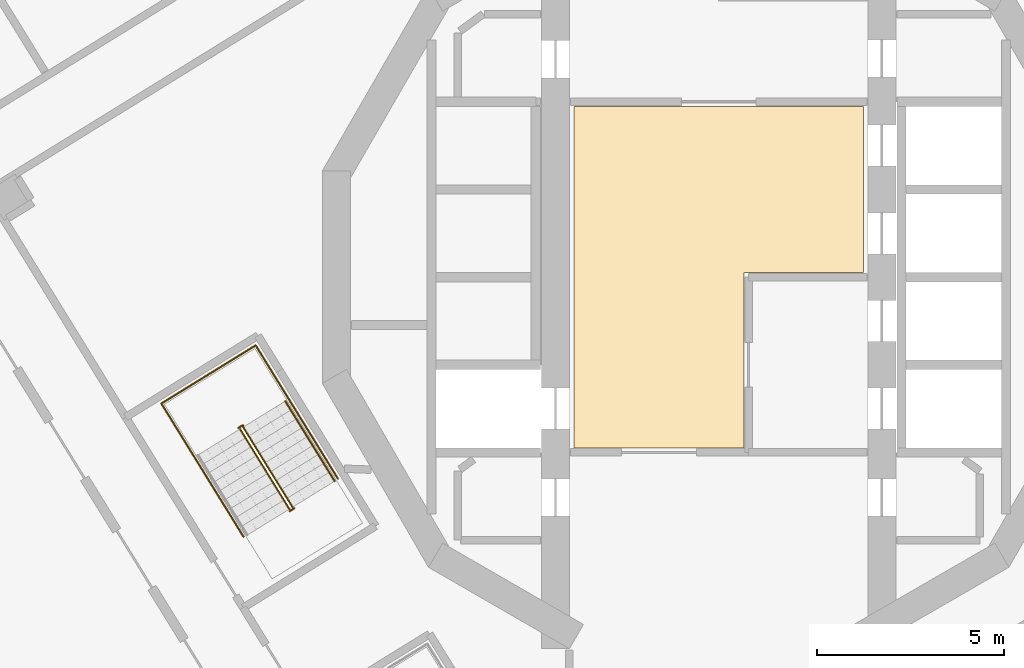
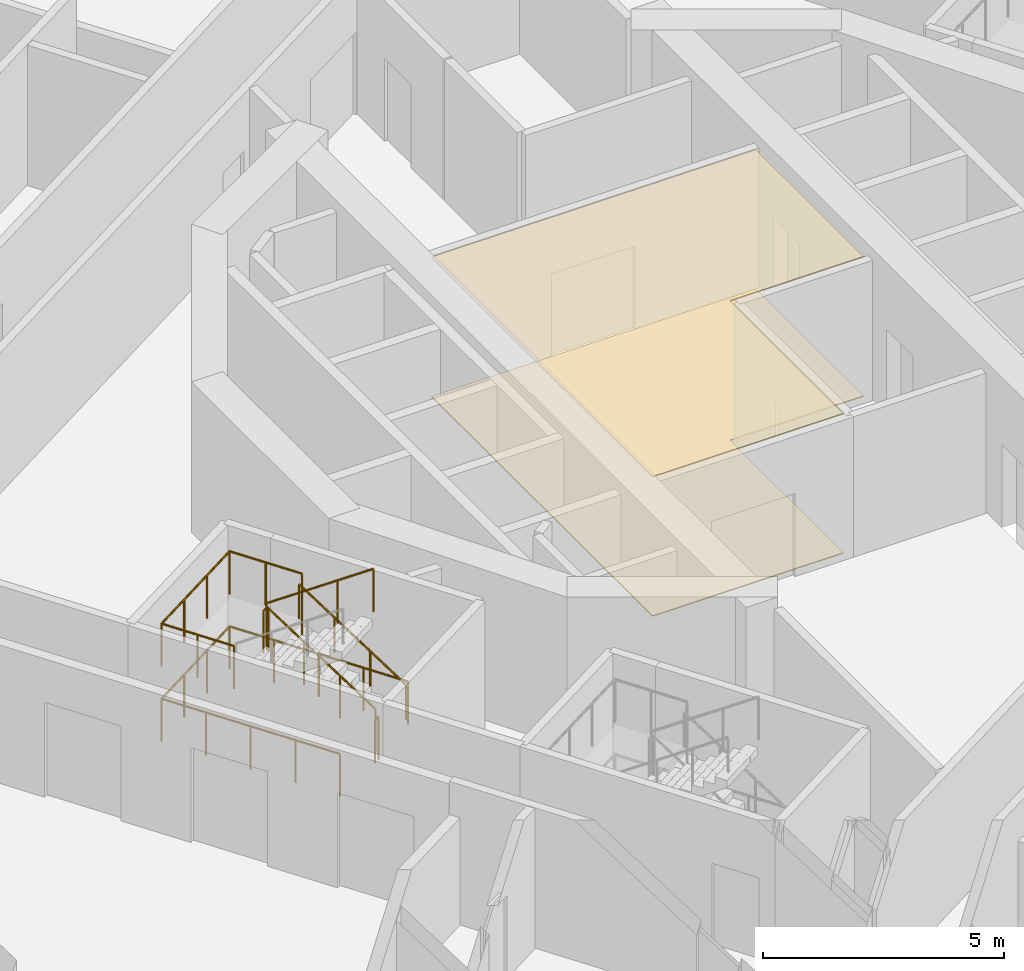
# One storey, part 13 of 19: 6 railings, 2 coverings.
"""IFC4 building model written with IfcOpenShell, lengths in metres."""

from ifc_helpers import new_model, si_unit, direction, frame, origin, origin_2d, place, context, subcontext, project, spatial, polyline, circle, outline, extrude, material, layer, layer_set, type_object, element, save


model = new_model("IFC4")

# Units and contexts
model_context = context("Model", 3, precision=1e-05, world=origin(), true_north=direction((0.0, 1.0)))
body_context = subcontext(model_context, "Body", "Model", "MODEL_VIEW")
ifc_project = project(units=[si_unit("LENGTHUNIT", "METRE"), si_unit("AREAUNIT", "SQUARE_METRE"), si_unit("VOLUMEUNIT", "CUBIC_METRE"), si_unit("PLANEANGLEUNIT", "RADIAN"), si_unit("MASSUNIT", "GRAM", prefix="KILO")], contexts=[model_context])

# Site, building, storey
site_placement = place(None, origin())
site = spatial("IfcSite", under=ifc_project, at=site_placement, CompositionType="ELEMENT")
building_placement = place(site_placement, origin())
building = spatial("IfcBuilding", under=site, at=building_placement, Name="Cantera Rosa Tower", CompositionType="ELEMENT")
storey_placement = place(building_placement, frame((0.0, 0.0, 147.60009765625)))
storey = spatial("IfcBuildingStorey", under=building, at=storey_placement, Name="L31", CompositionType="ELEMENT", Elevation=147.60009765625)

# Railings
ifc_material_1 = material(Name="Steel S355J2 (EN 10025-2)", Category="steel")
railing_type_1 = type_object("IfcRailingType", Name="STAIR GUARD 1100", PredefinedType="GUARDRAIL", material=ifc_material_1)
railing_1_placement = place(storey_placement, frame((-11.42333984375, -6.165771484375, 0.18994140625)))
element("IfcRailing", 1, at=railing_1_placement, inside=storey, type_object=railing_type_1, Name="L31 ST-32 stair guard 1", PredefinedType="GUARDRAIL", context=body_context, shape_type="SweptSolid", body=[
    extrude(circle(Radius=0.02392578125, at=origin_2d()), frame((0.0, 0.0, 1.076171875), z_axis=(-0.434427613125, 0.704271375033, 0.561493080334), x_axis=(-0.851102330005, -0.524999832248, 0.0)), (0.0, 0.0, 1.0), 3.04541015625),
    extrude(circle(Radius=0.02392578125, at=origin_2d()), frame((-1.322998046875, 2.144775390625, 2.7861328125), z_axis=(-0.073711968402, 0.997279572494, 0.0), x_axis=(-0.997279572494, -0.073711968402, 0.0)), (0.0, 0.0, 1.0), 0.056396484375),
    extrude(circle(Radius=0.02392578125, at=origin_2d()), frame((-1.3271484375, 2.200927734375, 2.7861328125), z_axis=(-0.851546489876, -0.524279100842, 0.0), x_axis=(0.524279100842, -0.851546489876, 0.0)), (0.0, 0.0, 1.0), 0.14990234375),
    extrude(circle(Radius=0.02099609375, at=origin_2d()), origin(), (0.0, 0.0, 1.0), 1.052001953125),
    extrude(circle(Radius=0.02099609375, at=origin_2d()), frame((-0.44091796875, 0.71484375, 0.570068359375)), (0.0, 0.0, 1.0), 1.052001953125),
    extrude(circle(Radius=0.02099609375, at=origin_2d()), frame((-0.882080078125, 1.429931640625, 1.139892578125)), (0.0, 0.0, 1.0), 1.052001953125),
    extrude(circle(Radius=0.02099609375, at=origin_2d()), frame((-1.322998046875, 2.144775390625, 1.7099609375)), (0.0, 0.0, 1.0), 1.052001953125),
    extrude(circle(Radius=0.02099609375, at=origin_2d()), frame((-1.3271484375, 2.200927734375, 1.7099609375)), (0.0, 0.0, 1.0), 1.052001953125),
    extrude(circle(Radius=0.02099609375, at=origin_2d()), frame((-1.454833984375, 2.122314453125, 1.7099609375)), (0.0, 0.0, 1.0), 1.052001953125),
])
railing_2_placement = place(storey_placement, frame((-12.82958984375, -4.072509765625, 2.08984375)))
element("IfcRailing", 2, at=railing_2_placement, inside=storey, type_object=railing_type_1, Name="L31 ST-32 stair guard 2", PredefinedType="GUARDRAIL", context=body_context, shape_type="SweptSolid", body=[
    extrude(circle(Radius=0.02392578125, at=origin_2d()), frame((0.0, 0.0, 1.076171875), z_axis=(0.434362572038, -0.70429590169, 0.561512634654), x_axis=(0.851145618652, 0.524929648476, 0.0)), (0.0, 0.0, 1.0), 3.045166015625),
    extrude(circle(Radius=0.02099609375, at=origin_2d()), origin(), (0.0, 0.0, 1.0), 1.052001953125),
    extrude(circle(Radius=0.02099609375, at=origin_2d()), frame((0.44091796875, -0.71484375, 0.570068359375)), (0.0, 0.0, 1.0), 1.052001953125),
    extrude(circle(Radius=0.02099609375, at=origin_2d()), frame((0.8818359375, -1.429931640625, 1.139892578125)), (0.0, 0.0, 1.0), 1.052001953125),
    extrude(circle(Radius=0.02099609375, at=origin_2d()), frame((1.32275390625, -2.144775390625, 1.7099609375)), (0.0, 0.0, 1.0), 1.052001953125),
])
railing_3_placement = place(storey_placement, frame((-11.375, -6.19482421875, 0.0)))
element("IfcRailing", 3, at=railing_3_placement, inside=storey, type_object=railing_type_1, Name="L31 ST-32 stair guard 3", PredefinedType="GUARDRAIL", context=body_context, shape_type="SweptSolid", body=[
    extrude(circle(Radius=0.02392578125, at=origin_2d()), frame((0.0, 0.0, 1.076171875), z_axis=(-0.851546489876, -0.524279100842, 0.0), x_axis=(0.524279100842, -0.851546489876, 0.0)), (0.0, 0.0, 1.0), 0.14990234375),
    extrude(circle(Radius=0.02099609375, at=origin_2d()), origin(), (0.0, 0.0, 1.0), 1.052001953125),
    extrude(circle(Radius=0.02099609375, at=origin_2d()), frame((-0.127685546875, -0.07861328125, 0.0)), (0.0, 0.0, 1.0), 1.052001953125),
])
railing_4_placement = place(storey_placement, frame((-10.20751953125, -5.40185546875, 0.0)))
element("IfcRailing", 4, at=railing_4_placement, inside=storey, type_object=railing_type_1, Name="L31 ST-32 stair guard 4", PredefinedType="GUARDRAIL", context=body_context, shape_type="SweptSolid", body=[
    extrude(circle(Radius=0.02392578125, at=origin_2d()), frame((0.0, 0.0, 1.076171875), z_axis=(-0.524976478809, 0.851116735059, 0.0), x_axis=(-0.851116735059, -0.524976478809, 0.0)), (0.0, 0.0, 1.0), 4.197998046875),
    extrude(circle(Radius=0.02392578125, at=origin_2d()), frame((-2.203857421875, 3.572998046875, 1.076171875), z_axis=(-0.851132917336, -0.524950242429, 0.0), x_axis=(0.524950242429, -0.851132917336, 0.0)), (0.0, 0.0, 1.0), 2.969970703125),
    extrude(circle(Radius=0.02392578125, at=origin_2d()), frame((-4.731689453125, 2.013916015625, 1.076171875), z_axis=(0.524976478809, -0.851116735059, 0.0), x_axis=(0.851116735059, 0.524976478809, 0.0)), (0.0, 0.0, 1.0), 4.197998046875),
    extrude(circle(Radius=0.02099609375, at=origin_2d()), origin(), (0.0, 0.0, 1.0), 1.052001953125),
    extrude(circle(Radius=0.02099609375, at=origin_2d()), frame((-0.551025390625, 0.893310546875, 0.0)), (0.0, 0.0, 1.0), 1.052001953125),
    extrude(circle(Radius=0.02099609375, at=origin_2d()), frame((-1.10205078125, 1.78662109375, 0.0)), (0.0, 0.0, 1.0), 1.052001953125),
    extrude(circle(Radius=0.02099609375, at=origin_2d()), frame((-1.65283203125, 2.6796875, 0.0)), (0.0, 0.0, 1.0), 1.052001953125),
    extrude(circle(Radius=0.02099609375, at=origin_2d()), frame((-2.203857421875, 3.572998046875, 0.0)), (0.0, 0.0, 1.0), 1.052001953125),
    extrude(circle(Radius=0.02099609375, at=origin_2d()), frame((-3.04638671875, 3.05322265625, 0.0)), (0.0, 0.0, 1.0), 1.052001953125),
    extrude(circle(Radius=0.02099609375, at=origin_2d()), frame((-3.88916015625, 2.53369140625, 0.0)), (0.0, 0.0, 1.0), 1.052001953125),
    extrude(circle(Radius=0.02099609375, at=origin_2d()), frame((-4.731689453125, 2.013916015625, 0.0)), (0.0, 0.0, 1.0), 1.052001953125),
    extrude(circle(Radius=0.02099609375, at=origin_2d()), frame((-4.1806640625, 1.12060546875, 0.0)), (0.0, 0.0, 1.0), 1.052001953125),
    extrude(circle(Radius=0.02099609375, at=origin_2d()), frame((-3.6298828125, 0.2275390625, 0.0)), (0.0, 0.0, 1.0), 1.052001953125),
    extrude(circle(Radius=0.02099609375, at=origin_2d()), frame((-3.078857421875, -0.665771484375, 0.0)), (0.0, 0.0, 1.0), 1.052001953125),
    extrude(circle(Radius=0.02099609375, at=origin_2d()), frame((-2.52783203125, -1.55908203125, 0.0)), (0.0, 0.0, 1.0), 1.052001953125),
])
railing_5_placement = place(storey_placement, frame((-11.517822265625, -3.27734375, 1.89990234375)))
element("IfcRailing", 5, at=railing_5_placement, inside=storey, type_object=railing_type_1, Name="L31 ST-32 stair guard 5", PredefinedType="GUARDRAIL", context=body_context, shape_type="SweptSolid", body=[
    extrude(circle(Radius=0.02392578125, at=origin_2d()), frame((0.0, 0.0, 1.076171875), z_axis=(-0.525025534833, 0.851086474909, 0.0), x_axis=(-0.851086474909, -0.525025534833, 0.0)), (0.0, 0.0, 1.0), 1.701904296875),
    extrude(circle(Radius=0.02392578125, at=origin_2d()), frame((-0.8935546875, 1.448486328125, 1.076171875), z_axis=(-0.851132917336, -0.524950242429, 0.0), x_axis=(0.524950242429, -0.851132917336, 0.0)), (0.0, 0.0, 1.0), 2.969970703125),
    extrude(circle(Radius=0.02392578125, at=origin_2d()), frame((-3.42138671875, -0.110595703125, 1.076171875), z_axis=(0.524961441845, -0.851126009811, 0.0), x_axis=(0.851126009811, 0.524961441845, 0.0)), (0.0, 0.0, 1.0), 1.7021484375),
    extrude(circle(Radius=0.02099609375, at=origin_2d()), origin(), (0.0, 0.0, 1.0), 1.052001953125),
    extrude(circle(Radius=0.02099609375, at=origin_2d()), frame((-0.44677734375, 0.72412109375, 0.0)), (0.0, 0.0, 1.0), 1.052001953125),
    extrude(circle(Radius=0.02099609375, at=origin_2d()), frame((-0.8935546875, 1.448486328125, 0.0)), (0.0, 0.0, 1.0), 1.052001953125),
    extrude(circle(Radius=0.02099609375, at=origin_2d()), frame((-1.736083984375, 0.9287109375, 0.0)), (0.0, 0.0, 1.0), 1.052001953125),
    extrude(circle(Radius=0.02099609375, at=origin_2d()), frame((-2.578857421875, 0.4091796875, 0.0)), (0.0, 0.0, 1.0), 1.052001953125),
    extrude(circle(Radius=0.02099609375, at=origin_2d()), frame((-3.42138671875, -0.110595703125, 0.0)), (0.0, 0.0, 1.0), 1.052001953125),
    extrude(circle(Radius=0.02099609375, at=origin_2d()), frame((-2.974609375, -0.8349609375, 0.0)), (0.0, 0.0, 1.0), 1.052001953125),
    extrude(circle(Radius=0.02099609375, at=origin_2d()), frame((-2.52783203125, -1.559326171875, 0.0)), (0.0, 0.0, 1.0), 1.052001953125),
])
ifc_material_2 = material(Name="Steel S355J2 (EN 10025-2)", Category="steel")
railing_type_2 = type_object("IfcRailingType", Name="STAIR HANDRAIL 900", PredefinedType="HANDRAIL", material=ifc_material_2)
railing_6_placement = place(storey_placement, frame((-10.294677734375, -5.4697265625, 0.18994140625)))
element("IfcRailing", 6, at=railing_6_placement, inside=storey, type_object=railing_type_2, Name="L31 ST-32 stair handrail 1", PredefinedType="HANDRAIL", context=body_context, shape_type="SweptSolid", body=[
    extrude(circle(Radius=0.02392578125, at=origin_2d()), frame((0.0, 0.0, 0.8759765625), z_axis=(-0.434427613125, 0.704271375033, 0.561493080334), x_axis=(-0.851102330005, -0.524999832248, 0.0)), (0.0, 0.0, 1.0), 3.04541015625),
    extrude(circle(Radius=0.02099609375, at=origin_2d()), origin(), (0.0, 0.0, 1.0), 0.851806640625),
    extrude(circle(Radius=0.02099609375, at=origin_2d()), frame((-0.44091796875, 0.71484375, 0.570068359375)), (0.0, 0.0, 1.0), 0.851806640625),
    extrude(circle(Radius=0.02099609375, at=origin_2d()), frame((-0.882080078125, 1.429931640625, 1.139892578125)), (0.0, 0.0, 1.0), 0.851806640625),
    extrude(circle(Radius=0.02099609375, at=origin_2d()), frame((-1.322998046875, 2.144775390625, 1.7099609375)), (0.0, 0.0, 1.0), 0.851806640625),
])

# Coverings
ifc_material_3 = material(Name="Limestone paving", Category="masonry")
ifc_layer_1 = layer(ifc_material_3, 0.02490234375)
ifc_layer_set_1 = layer_set([ifc_layer_1], Name="STONE FLOOR FINISH 25")
covering_type_1 = type_object("IfcCoveringType", Name="STONE FLOOR FINISH 25", PredefinedType="FLOORING", material=ifc_layer_set_1)
covering_1_placement = place(storey_placement, origin())
element("IfcCovering", 7, at=covering_1_placement, inside=storey, type_object=covering_type_1, Name="STONE FLOOR FINISH L31", PredefinedType="FLOORING", context=body_context, shape_type="SweptSolid", body=[
    extrude(outline(polyline([(3.8798828125, 4.580078125), (3.8798828125, 0.1201171875), (0.679931640625, 0.1201171875), (0.679931640625, -4.580078125), (-3.8798828125, -4.580078125), (-3.8798828125, 4.580078125), (3.8798828125, 4.580078125)])), origin(), (0.0, 0.0, 1.0), 0.02490234375),
])
ifc_material_4 = material(Name="Gypsum ceiling tile")
ifc_layer_2 = layer(ifc_material_4, 0.030029296875)
ifc_layer_set_2 = layer_set([ifc_layer_2], Name="SUSPENDED CEILING 30")
covering_type_2 = type_object("IfcCoveringType", Name="SUSPENDED CEILING 30", PredefinedType="CEILING", material=ifc_layer_set_2)
covering_2_placement = place(storey_placement, frame((0.0, 0.0, 3.52001953125)))
element("IfcCovering", 8, at=covering_2_placement, inside=storey, type_object=covering_type_2, Name="SUSPENDED CEILING L31", PredefinedType="CEILING", context=body_context, shape_type="SweptSolid", body=[
    extrude(outline(polyline([(3.8798828125, 4.580078125), (3.8798828125, 0.1201171875), (0.679931640625, 0.1201171875), (0.679931640625, -4.580078125), (-3.8798828125, -4.580078125), (-3.8798828125, 4.580078125), (3.8798828125, 4.580078125)])), origin(), (0.0, 0.0, 1.0), 0.02978515625),
])

save(model, "model.ifc")
